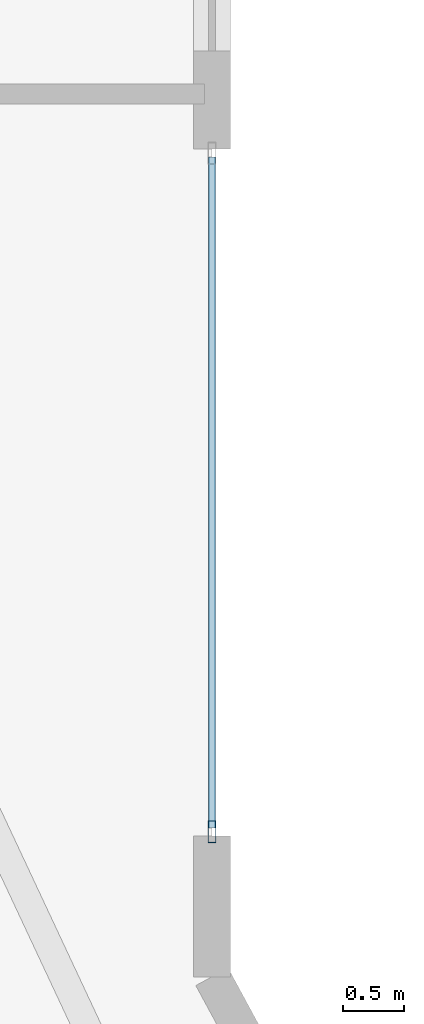
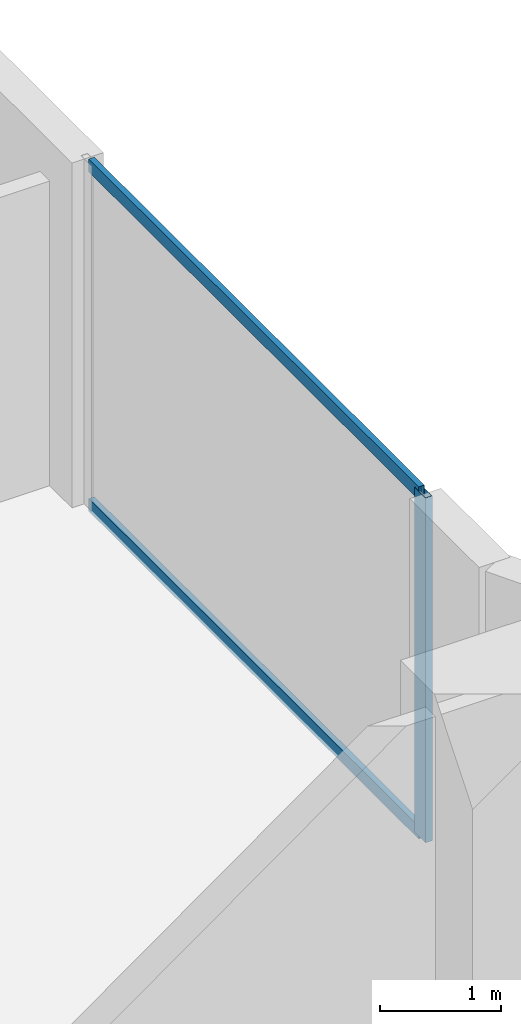
# One storey, part 14 of 33: 3 members, 1 element without a shape of its own.
"""IFC4 building model written with IfcOpenShell, lengths in metres."""

from ifc_helpers import new_model, si_unit, direction, frame, origin, origin_2d, place, context, subcontext, project, spatial, hollow_rectangle, extrude, material, layer, layer_set, material_profile, profile_set, type_object, element, aggregate, save


model = new_model("IFC4")

# Units and contexts
model_context = context("Model", 3, precision=1e-05, world=origin(), true_north=direction((0.0, 1.0)))
body_context = subcontext(model_context, "Body", "Model", "MODEL_VIEW")
ifc_project = project(units=[si_unit("LENGTHUNIT", "METRE"), si_unit("AREAUNIT", "SQUARE_METRE"), si_unit("VOLUMEUNIT", "CUBIC_METRE"), si_unit("PLANEANGLEUNIT", "RADIAN"), si_unit("MASSUNIT", "GRAM", prefix="KILO")], contexts=[model_context])

# Site, building, storey
site_placement = place(None, origin())
site = spatial("IfcSite", under=ifc_project, at=site_placement, CompositionType="ELEMENT")
building_placement = place(site_placement, origin())
building = spatial("IfcBuilding", under=site, at=building_placement, Name="Zuhayl Quay Hotel", CompositionType="ELEMENT")
storey_placement = place(building_placement, frame((0.0, 0.0, 229.89990234375)))
storey = spatial("IfcBuildingStorey", under=building, at=storey_placement, Name="L58", CompositionType="ELEMENT", Elevation=229.89990234375)

# Curtain wall, members
ifc_material_1 = material(Name="Anodised Aluminium 6063-T6", Category="aluminium")
ifc_layer = layer(ifc_material_1, 0.175048828125, Name="Anodised Aluminium 6063-T6", Category="aluminium")
ifc_layer_set = layer_set([ifc_layer], Name="Anodised Aluminium 6063-T6")
curtain_wall_type = type_object("IfcCurtainWallType", Name="CW_SYS_Z3", PredefinedType="USERDEFINED", material=ifc_layer_set)
curtain_wall_placement = place(storey_placement, origin())
curtain_wall = element("IfcCurtainWall", 1, at=curtain_wall_placement, inside=storey, type_object=curtain_wall_type, Name="L58 Curtain Wall ENV_L58_E11_CW1", ObjectType="UNITISED CURTAIN WALL", PredefinedType="USERDEFINED")
ifc_material_2 = material(Name="Black-anodised aluminium 6063-T6", Category="aluminium")
ifc_material_profile_1 = material_profile(ifc_material_2, hollow_rectangle(XDim=0.06494140625, YDim=0.179931640625, WallThickness=0.00341796875, at=origin_2d()), Name="ALU180X65")
ifc_profile_set_1 = profile_set([ifc_material_profile_1], Name="Black-anodised aluminium 6063-T6")
member_type_1 = type_object("IfcMemberType", Name="MB_CW_MUL_180", PredefinedType="MULLION", material=ifc_profile_set_1)
member_1_placement = place(storey_placement, frame((22.10009765625, 18.982421875, 0.0), z_axis=(0.0, 0.0, 1.0), x_axis=(1.0, 0.0, 0.0)))
member_1 = element("IfcMember", 2, at=member_1_placement, type_object=member_type_1, Name="CW-Z3 mullion 2", PredefinedType="MULLION", context=body_context, shape_type="SweptSolid", body=[
    extrude(hollow_rectangle(XDim=0.06494140625, YDim=0.179931640625, WallThickness=0.00341796875, at=origin_2d()), origin(), (0.0, 0.0, 1.0), 3.489990234375),
])
ifc_material_profile_2 = material_profile(ifc_material_2, hollow_rectangle(XDim=0.054931640625, YDim=0.1298828125, WallThickness=0.0029296875, at=origin_2d()), Name="ALU130X55")
ifc_profile_set_2 = profile_set([ifc_material_profile_2], Name="Black-anodised aluminium 6063-T6")
member_type_2 = type_object("IfcMemberType", Name="MB_CW_TRN_130", PredefinedType="USERDEFINED", material=ifc_profile_set_2)
member_2_placement = place(storey_placement, frame((22.10009765625, 24.485107421875, 0.027587890625), z_axis=(0.0, -1.0, 0.0), x_axis=(1.0, 0.0, 0.0)))
member_2 = element("IfcMember", 3, at=member_2_placement, type_object=member_type_2, Name="CW-Z3 transom 1.1", ObjectType="TRANSOM", PredefinedType="USERDEFINED", context=body_context, shape_type="SweptSolid", body=[
    extrude(hollow_rectangle(XDim=0.054931640625, YDim=0.1298828125, WallThickness=0.0029296875, at=origin_2d()), origin(), (0.0, 0.0, 1.0), 5.47021484375),
])
member_3_placement = place(storey_placement, frame((22.10009765625, 24.485107421875, 3.462646484375), z_axis=(0.0, -1.0, 0.0), x_axis=(1.0, 0.0, 0.0)))
member_3 = element("IfcMember", 4, at=member_3_placement, type_object=member_type_2, Name="CW-Z3 transom 1.2", ObjectType="TRANSOM", PredefinedType="USERDEFINED", context=body_context, shape_type="SweptSolid", body=[
    extrude(hollow_rectangle(XDim=0.054931640625, YDim=0.1298828125, WallThickness=0.0029296875, at=origin_2d()), origin(), (0.0, 0.0, 1.0), 5.47021484375),
])
aggregate(curtain_wall, [member_1, member_2, member_3])

save(model, "model.ifc")
